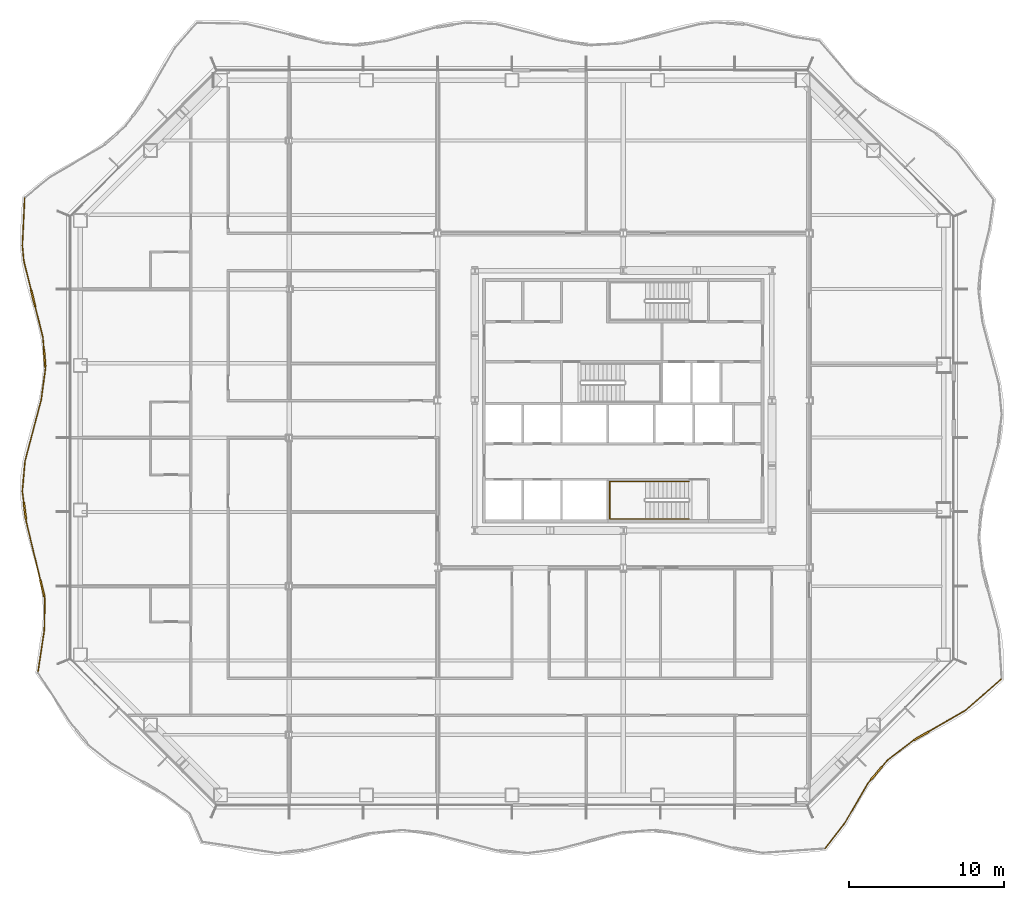
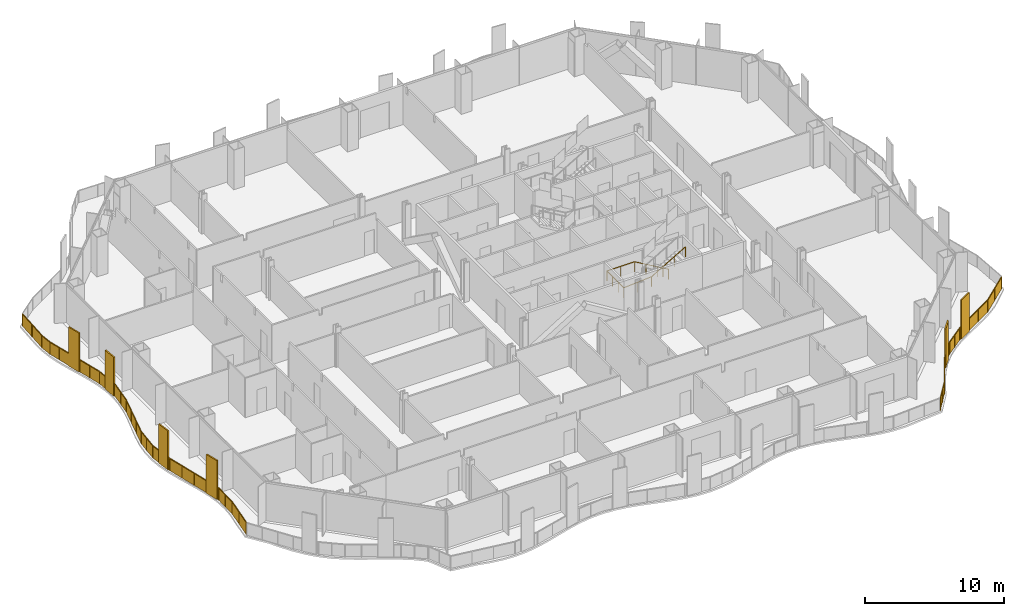
# One storey, part 14 of 18: 3 railings.
"""IFC4 building model written with IfcOpenShell, lengths in metres."""

from ifc_helpers import new_model, si_unit, direction, frame, origin, origin_2d, place, context, subcontext, project, spatial, polyline, rectangle, outline, extrude, material, type_object, element, save


model = new_model("IFC4")

# Units and contexts
model_context = context("Model", 3, precision=1e-05, world=origin(), true_north=direction((0.0, 1.0)))
body_context = subcontext(model_context, "Body", "Model", "MODEL_VIEW")
ifc_project = project(units=[si_unit("LENGTHUNIT", "METRE"), si_unit("AREAUNIT", "SQUARE_METRE"), si_unit("VOLUMEUNIT", "CUBIC_METRE"), si_unit("PLANEANGLEUNIT", "RADIAN"), si_unit("MASSUNIT", "GRAM", prefix="KILO")], contexts=[model_context])

# Site, building, storey
site_placement = place(None, origin())
site = spatial("IfcSite", under=ifc_project, at=site_placement, CompositionType="ELEMENT")
building_placement = place(site_placement, origin())
building = spatial("IfcBuilding", under=site, at=building_placement, Name="Cairn Pilgrim Tower", CompositionType="ELEMENT")
storey_placement = place(building_placement, frame((0.0, 0.0, 72.60009765625)))
storey = spatial("IfcBuildingStorey", under=building, at=storey_placement, Name="L16", CompositionType="ELEMENT", Elevation=72.60009765625)

# Railings
ifc_material_1 = material(Name="Bronze anodised aluminium rail, posts and fin screens with laminated glass infill", Category="aluminium")
railing_type_1 = type_object("IfcRailingType", Name="BALCONY GUARD WITH FIN SCREENS", PredefinedType="GUARDRAIL", material=ifc_material_1)
railing_1_placement = place(storey_placement, frame((20.237548828125, -26.5458984375, 0.0)))
element("IfcRailing", 1, at=railing_1_placement, inside=storey, type_object=railing_type_1, Name="Balcony guard BGF-2 with fin screens", PredefinedType="GUARDRAIL", context=body_context, shape_type="SweptSolid", body=[
    extrude(rectangle(XDim=0.050048828125, YDim=0.050048828125, at=origin_2d()), frame((0.0, 0.0, 1.0751953125), z_axis=(0.615201347758, 0.788370028424, 0.0), x_axis=(-0.788370028424, 0.615201347758, 0.0)), (0.0, 0.0, 1.0), 2.023193359375),
    extrude(rectangle(XDim=0.050048828125, YDim=0.050048828125, at=origin_2d()), frame((1.24462890625, 1.594970703125, 1.0751953125), z_axis=(0.502958538575, 0.864310539375, 0.0), x_axis=(-0.864310539375, 0.502958538575, 0.0)), (0.0, 0.0, 1.0), 3.011962890625),
    extrude(rectangle(XDim=1.10009765625, YDim=0.110107421875, at=origin_2d()), frame((3.309326171875, 4.84814453125, 0.0), z_axis=(0.0, 0.0, 1.0), x_axis=(0.64575939451, 0.763540964456, 0.0)), (0.0, 0.0, 1.0), 3.39990234375),
    extrude(rectangle(XDim=0.050048828125, YDim=0.050048828125, at=origin_2d()), frame((2.759521484375, 4.1982421875, 1.0751953125), z_axis=(0.64575939451, 0.763540964456, 0.0), x_axis=(-0.763540964456, 0.64575939451, 0.0)), (0.0, 0.0, 1.0), 0.30126953125),
    extrude(rectangle(XDim=0.050048828125, YDim=0.050048828125, at=origin_2d()), frame((3.66455078125, 5.268310546875, 1.0751953125), z_axis=(0.64575939451, 0.763540964456, 0.0), x_axis=(-0.763540964456, 0.64575939451, 0.0)), (0.0, 0.0, 1.0), 0.573974609375),
    extrude(rectangle(XDim=0.050048828125, YDim=0.050048828125, at=origin_2d()), frame((4.03515625, 5.70654296875, 1.0751953125), z_axis=(0.791945656533, 0.610591579617, 0.0), x_axis=(-0.610591579617, 0.791945656533, 0.0)), (0.0, 0.0, 1.0), 1.981689453125),
    extrude(rectangle(XDim=1.10009765625, YDim=0.110107421875, at=origin_2d()), frame((6.218505859375, 7.27197265625, 0.0), z_axis=(0.0, 0.0, 1.0), x_axis=(0.86543045398, 0.501029070339, 0.0)), (0.0, 0.0, 1.0), 3.39990234375),
    extrude(rectangle(XDim=0.050048828125, YDim=0.050048828125, at=origin_2d()), frame((5.6044921875, 6.91650390625, 1.0751953125), z_axis=(0.86543045398, 0.501029070339, 0.0), x_axis=(-0.501029070339, 0.86543045398, 0.0)), (0.0, 0.0, 1.0), 0.15966796875),
    extrude(rectangle(XDim=0.050048828125, YDim=0.050048828125, at=origin_2d()), frame((6.694580078125, 7.547607421875, 1.0751953125), z_axis=(0.86543045398, 0.501029070339, 0.0), x_axis=(-0.501029070339, 0.86543045398, 0.0)), (0.0, 0.0, 1.0), 2.750244140625),
    extrude(rectangle(XDim=0.050048828125, YDim=0.050048828125, at=origin_2d()), frame((9.07470703125, 8.925537109375, 1.0751953125), z_axis=(0.75255679741, 0.658527346944, 0.0), x_axis=(-0.658527346944, 0.75255679741, 0.0)), (0.0, 0.0, 1.0), 3.04052734375),
    extrude(rectangle(XDim=0.050048828125, YDim=0.050048828125, at=origin_2d()), origin(), (0.0, 0.0, 1.0), 1.050048828125),
    extrude(rectangle(XDim=0.050048828125, YDim=0.050048828125, at=origin_2d()), frame((0.622314453125, 0.79736328125, 0.0)), (0.0, 0.0, 1.0), 1.050048828125),
    extrude(rectangle(XDim=0.050048828125, YDim=0.050048828125, at=origin_2d()), frame((1.24462890625, 1.594970703125, 0.0)), (0.0, 0.0, 1.0), 1.050048828125),
    extrude(rectangle(XDim=0.050048828125, YDim=0.050048828125, at=origin_2d()), frame((2.001953125, 2.896484375, 0.0)), (0.0, 0.0, 1.0), 1.050048828125),
    extrude(rectangle(XDim=0.050048828125, YDim=0.050048828125, at=origin_2d()), frame((2.759521484375, 4.1982421875, 0.0)), (0.0, 0.0, 1.0), 1.050048828125),
    extrude(rectangle(XDim=0.050048828125, YDim=0.050048828125, at=origin_2d()), frame((2.93798828125, 4.4091796875, 0.0)), (0.0, 0.0, 1.0), 1.050048828125),
    extrude(rectangle(XDim=0.050048828125, YDim=0.050048828125, at=origin_2d()), frame((3.6806640625, 5.287353515625, 0.0)), (0.0, 0.0, 1.0), 1.050048828125),
    extrude(rectangle(XDim=0.050048828125, YDim=0.050048828125, at=origin_2d()), frame((4.03515625, 5.70654296875, 0.0)), (0.0, 0.0, 1.0), 1.050048828125),
    extrude(rectangle(XDim=0.050048828125, YDim=0.050048828125, at=origin_2d()), frame((4.81982421875, 6.3115234375, 0.0)), (0.0, 0.0, 1.0), 1.050048828125),
    extrude(rectangle(XDim=0.050048828125, YDim=0.050048828125, at=origin_2d()), frame((5.6044921875, 6.91650390625, 0.0)), (0.0, 0.0, 1.0), 1.050048828125),
    extrude(rectangle(XDim=0.050048828125, YDim=0.050048828125, at=origin_2d()), frame((5.720947265625, 6.98388671875, 0.0)), (0.0, 0.0, 1.0), 1.050048828125),
    extrude(rectangle(XDim=0.050048828125, YDim=0.050048828125, at=origin_2d()), frame((6.71630859375, 7.56005859375, 0.0)), (0.0, 0.0, 1.0), 1.050048828125),
    extrude(rectangle(XDim=0.050048828125, YDim=0.050048828125, at=origin_2d()), frame((7.8955078125, 8.242919921875, 0.0)), (0.0, 0.0, 1.0), 1.050048828125),
    extrude(rectangle(XDim=0.050048828125, YDim=0.050048828125, at=origin_2d()), frame((9.07470703125, 8.925537109375, 0.0)), (0.0, 0.0, 1.0), 1.050048828125),
    extrude(rectangle(XDim=0.050048828125, YDim=0.050048828125, at=origin_2d()), frame((10.21875, 9.9267578125, 0.0)), (0.0, 0.0, 1.0), 1.050048828125),
    extrude(rectangle(XDim=0.050048828125, YDim=0.050048828125, at=origin_2d()), frame((11.36279296875, 10.927734375, 0.0)), (0.0, 0.0, 1.0), 1.050048828125),
    extrude(outline(polyline([(0.02490234375, 0.0), (0.986572265625, 0.0), (0.986572265625, 1.050048828125), (0.02490234375, 1.050048828125), (0.02490234375, 0.0)])), frame((-0.004638671875, 0.003662109375, 0.0), z_axis=(0.788370028424, -0.615201347758, 0.0), x_axis=(0.615201347758, 0.788370028424, 0.0)), (0.0, 0.0, 1.0), 0.011962890625),
    extrude(outline(polyline([(0.02490234375, 0.0), (0.986572265625, 0.0), (0.986572265625, 1.050048828125), (0.02490234375, 1.050048828125), (0.02490234375, 0.0)])), frame((0.61767578125, 0.80126953125, 0.0), z_axis=(0.788370028424, -0.615201347758, 0.0), x_axis=(0.615201347758, 0.788370028424, 0.0)), (0.0, 0.0, 1.0), 0.011962890625),
    extrude(outline(polyline([(0.02490234375, 0.0), (1.48095703125, 0.0), (1.48095703125, 1.050048828125), (0.02490234375, 1.050048828125), (0.02490234375, 0.0)])), frame((1.239501953125, 1.597900390625, 0.0), z_axis=(0.864310539375, -0.502958538575, 0.0), x_axis=(0.502958538575, 0.864310539375, 0.0)), (0.0, 0.0, 1.0), 0.011962890625),
    extrude(outline(polyline([(0.02490234375, 0.0), (1.48095703125, 0.0), (1.48095703125, 1.050048828125), (0.02490234375, 1.050048828125), (0.02490234375, 0.0)])), frame((1.996826171875, 2.899658203125, 0.0), z_axis=(0.864310539375, -0.502958538575, 0.0), x_axis=(0.502958538575, 0.864310539375, 0.0)), (0.0, 0.0, 1.0), 0.011962890625),
    extrude(outline(polyline([(0.02490234375, 0.0), (0.251220703125, 0.0), (0.251220703125, 1.050048828125), (0.02490234375, 1.050048828125), (0.02490234375, 0.0)])), frame((2.7548828125, 4.2021484375, 0.0), z_axis=(0.763540964456, -0.64575939451, 0.0), x_axis=(0.64575939451, 0.763540964456, 0.0)), (0.0, 0.0, 1.0), 0.011962890625),
    extrude(outline(polyline([(0.02490234375, 0.0), (0.52392578125, 0.0), (0.52392578125, 1.050048828125), (0.02490234375, 1.050048828125), (0.02490234375, 0.0)])), frame((3.676025390625, 5.291259765625, 0.0), z_axis=(0.763540964456, -0.64575939451, 0.0), x_axis=(0.64575939451, 0.763540964456, 0.0)), (0.0, 0.0, 1.0), 0.011962890625),
    extrude(outline(polyline([(0.02490234375, 0.0), (0.9658203125, 0.0), (0.9658203125, 1.050048828125), (0.02490234375, 1.050048828125), (0.02490234375, 0.0)])), frame((4.031494140625, 5.711181640625, 0.0), z_axis=(0.610591579617, -0.791945656533, 0.0), x_axis=(0.791945656533, 0.610591579617, 0.0)), (0.0, 0.0, 1.0), 0.011962890625),
    extrude(outline(polyline([(0.02490234375, 0.0), (0.9658203125, 0.0), (0.9658203125, 1.050048828125), (0.02490234375, 1.050048828125), (0.02490234375, 0.0)])), frame((4.816162109375, 6.316162109375, 0.0), z_axis=(0.610591579617, -0.791945656533, 0.0), x_axis=(0.791945656533, 0.610591579617, 0.0)), (0.0, 0.0, 1.0), 0.011962890625),
    extrude(outline(polyline([(0.02490234375, 0.0), (0.109619140625, 0.0), (0.109619140625, 1.050048828125), (0.02490234375, 1.050048828125), (0.02490234375, 0.0)])), frame((5.6015625, 6.921630859375, 0.0), z_axis=(0.501029070339, -0.86543045398, 0.0), x_axis=(0.86543045398, 0.501029070339, 0.0)), (0.0, 0.0, 1.0), 0.011962890625),
    extrude(outline(polyline([(0.02490234375, 0.0), (1.337646484375, 0.0), (1.337646484375, 1.050048828125), (0.02490234375, 1.050048828125), (0.02490234375, 0.0)])), frame((6.713134765625, 7.5654296875, 0.0), z_axis=(0.501029070339, -0.86543045398, 0.0), x_axis=(0.86543045398, 0.501029070339, 0.0)), (0.0, 0.0, 1.0), 0.011962890625),
    extrude(outline(polyline([(0.02490234375, 0.0), (1.337646484375, 0.0), (1.337646484375, 1.050048828125), (0.02490234375, 1.050048828125), (0.02490234375, 0.0)])), frame((7.892578125, 8.248046875, 0.0), z_axis=(0.501029070339, -0.86543045398, 0.0), x_axis=(0.86543045398, 0.501029070339, 0.0)), (0.0, 0.0, 1.0), 0.011962890625),
    extrude(outline(polyline([(0.02490234375, 0.0), (1.4951171875, 0.0), (1.4951171875, 1.050048828125), (0.02490234375, 1.050048828125), (0.02490234375, 0.0)])), frame((9.07080078125, 8.929931640625, 0.0), z_axis=(0.658527346944, -0.75255679741, 0.0), x_axis=(0.75255679741, 0.658527346944, 0.0)), (0.0, 0.0, 1.0), 0.011962890625),
    extrude(outline(polyline([(0.02490234375, 0.0), (1.4951171875, 0.0), (1.4951171875, 1.050048828125), (0.02490234375, 1.050048828125), (0.02490234375, 0.0)])), frame((10.21484375, 9.93115234375, 0.0), z_axis=(0.658527346944, -0.75255679741, 0.0), x_axis=(0.75255679741, 0.658527346944, 0.0)), (0.0, 0.0, 1.0), 0.011962890625),
])
railing_2_placement = place(storey_placement, frame((-31.49755859375, 15.50439453125, 0.0)))
element("IfcRailing", 2, at=railing_2_placement, inside=storey, type_object=railing_type_1, Name="Balcony guard BGF-7 with fin screens", PredefinedType="GUARDRAIL", context=body_context, shape_type="SweptSolid", body=[
    extrude(rectangle(XDim=0.050048828125, YDim=0.050048828125, at=origin_2d()), frame((0.0, 0.0, 1.0751953125), z_axis=(-0.047392519843, -0.998876343229, 0.0), x_axis=(0.998876343229, -0.047392519843, 0.0)), (0.0, 0.0, 1.0), 3.0908203125),
    extrude(rectangle(XDim=0.050048828125, YDim=0.050048828125, at=origin_2d()), frame((-0.146484375, -3.08740234375, 1.0751953125), z_axis=(0.091619067634, -0.995794128546, 0.0), x_axis=(0.995794128546, 0.091619067634, 0.0)), (0.0, 0.0, 1.0), 0.975341796875),
    extrude(rectangle(XDim=1.10009765625, YDim=0.110107421875, at=origin_2d()), frame((0.551513671875, -6.50146484375, 0.0), z_axis=(0.0, 0.0, 1.0), x_axis=(0.241794790699, -0.970327408245, 0.0)), (0.0, 0.0, 1.0), 3.39990234375),
    extrude(rectangle(XDim=0.050048828125, YDim=0.050048828125, at=origin_2d()), frame((-0.05712890625, -4.05859375, 1.0751953125), z_axis=(0.241794790699, -0.970327408245, 0.0), x_axis=(0.970327408245, 0.241794790699, 0.0)), (0.0, 0.0, 1.0), 1.967529296875),
    extrude(rectangle(XDim=0.050048828125, YDim=0.050048828125, at=origin_2d()), frame((0.6845703125, -7.03515625, 1.0751953125), z_axis=(0.241794790699, -0.970327408245, 0.0), x_axis=(0.970327408245, 0.241794790699, 0.0)), (0.0, 0.0, 1.0), 2.050537109375),
    extrude(rectangle(XDim=1.10009765625, YDim=0.110107421875, at=origin_2d()), frame((1.28759765625, -10.341796875, 0.0), z_axis=(0.0, 0.0, 1.0), x_axis=(0.08116611669, -0.99670058769, 0.0)), (0.0, 0.0, 1.0), 3.39990234375),
    extrude(rectangle(XDim=0.050048828125, YDim=0.050048828125, at=origin_2d()), frame((1.180419921875, -9.02490234375, 1.0751953125), z_axis=(0.08116611669, -0.99670058769, 0.0), x_axis=(0.99670058769, 0.08116611669, 0.0)), (0.0, 0.0, 1.0), 0.771240234375),
    extrude(rectangle(XDim=0.050048828125, YDim=0.050048828125, at=origin_2d()), frame((1.332275390625, -10.889892578125, 1.0751953125), z_axis=(0.08116611669, -0.99670058769, 0.0), x_axis=(0.99670058769, 0.08116611669, 0.0)), (0.0, 0.0, 1.0), 0.150146484375),
    extrude(rectangle(XDim=0.050048828125, YDim=0.050048828125, at=origin_2d()), frame((1.344482421875, -11.03955078125, 1.0751953125), z_axis=(-0.134463757339, -0.990918512271, 0.0), x_axis=(0.990918512271, -0.134463757339, 0.0)), (0.0, 0.0, 1.0), 2.030029296875),
    extrude(rectangle(XDim=0.050048828125, YDim=0.050048828125, at=origin_2d()), frame((1.071533203125, -13.051025390625, 1.0751953125), z_axis=(-0.255652277309, -0.966768800235, 0.0), x_axis=(0.966768800235, -0.255652277309, 0.0)), (0.0, 0.0, 1.0), 4.10546875),
    extrude(rectangle(XDim=0.050048828125, YDim=0.050048828125, at=origin_2d()), frame((0.02197265625, -17.02001953125, 1.0751953125), z_axis=(-0.087117617397, -0.996198032893, 0.0), x_axis=(0.996198032893, -0.087117617397, 0.0)), (0.0, 0.0, 1.0), 1.964599609375),
    extrude(rectangle(XDim=1.10009765625, YDim=0.110107421875, at=origin_2d()), frame((0.015869140625, -20.244873046875, 0.0), z_axis=(0.0, 0.0, 1.0), x_axis=(0.129059615657, -0.991636836552, 0.0)), (0.0, 0.0, 1.0), 3.39990234375),
    extrude(rectangle(XDim=0.050048828125, YDim=0.050048828125, at=origin_2d()), frame((-0.149169921875, -18.97705078125, 1.0751953125), z_axis=(0.129059615657, -0.991636836552, 0.0), x_axis=(0.991636836552, 0.129059615657, 0.0)), (0.0, 0.0, 1.0), 0.728515625),
    extrude(rectangle(XDim=0.050048828125, YDim=0.050048828125, at=origin_2d()), frame((0.0869140625, -20.790283203125, 1.0751953125), z_axis=(0.129059615657, -0.991636836552, 0.0), x_axis=(0.991636836552, 0.129059615657, 0.0)), (0.0, 0.0, 1.0), 0.150146484375),
    extrude(rectangle(XDim=1.10009765625, YDim=0.110107421875, at=origin_2d()), frame((1.142822265625, -25.23486328125, 0.0), z_axis=(0.0, 0.0, 1.0), x_axis=(0.234604789544, -0.972090835634, 0.0)), (0.0, 0.0, 1.0), 3.39990234375),
    extrude(rectangle(XDim=0.050048828125, YDim=0.050048828125, at=origin_2d()), frame((0.106201171875, -20.939208984375, 1.0751953125), z_axis=(0.234604789544, -0.972090835634, 0.0), x_axis=(0.972090835634, 0.234604789544, 0.0)), (0.0, 0.0, 1.0), 3.869140625),
    extrude(rectangle(XDim=0.050048828125, YDim=0.050048828125, at=origin_2d()), frame((1.27197265625, -25.76953125, 1.0751953125), z_axis=(0.234604789544, -0.972090835634, 0.0), x_axis=(0.972090835634, 0.234604789544, 0.0)), (0.0, 0.0, 1.0), 0.14990234375),
    extrude(rectangle(XDim=0.050048828125, YDim=0.050048828125, at=origin_2d()), frame((1.30712890625, -25.915283203125, 1.0751953125), z_axis=(-0.01695698011, -0.999856220076, 0.0), x_axis=(0.999856220076, -0.01695698011, 0.0)), (0.0, 0.0, 1.0), 2.015625),
    extrude(rectangle(XDim=0.050048828125, YDim=0.050048828125, at=origin_2d()), frame((1.27294921875, -27.9306640625, 1.0751953125), z_axis=(-0.149042202955, -0.988830835754, 0.0), x_axis=(0.988830835754, -0.149042202955, 0.0)), (0.0, 0.0, 1.0), 2.73876953125),
    extrude(rectangle(XDim=0.050048828125, YDim=0.050048828125, at=origin_2d()), origin(), (0.0, 0.0, 1.0), 1.050048828125),
    extrude(rectangle(XDim=0.050048828125, YDim=0.050048828125, at=origin_2d()), frame((-0.0732421875, -1.543701171875, 0.0)), (0.0, 0.0, 1.0), 1.050048828125),
    extrude(rectangle(XDim=0.050048828125, YDim=0.050048828125, at=origin_2d()), frame((-0.146484375, -3.08740234375, 0.0)), (0.0, 0.0, 1.0), 1.050048828125),
    extrude(rectangle(XDim=0.050048828125, YDim=0.050048828125, at=origin_2d()), frame((-0.05712890625, -4.05859375, 0.0)), (0.0, 0.0, 1.0), 1.050048828125),
    extrude(rectangle(XDim=0.050048828125, YDim=0.050048828125, at=origin_2d()), frame((0.177734375, -5.0009765625, 0.0)), (0.0, 0.0, 1.0), 1.050048828125),
    extrude(rectangle(XDim=0.050048828125, YDim=0.050048828125, at=origin_2d()), frame((0.41259765625, -5.943603515625, 0.0)), (0.0, 0.0, 1.0), 1.050048828125),
    extrude(rectangle(XDim=0.050048828125, YDim=0.050048828125, at=origin_2d()), frame((0.690673828125, -7.0595703125, 0.0)), (0.0, 0.0, 1.0), 1.050048828125),
    extrude(rectangle(XDim=0.050048828125, YDim=0.050048828125, at=origin_2d()), frame((0.935546875, -8.042236328125, 0.0)), (0.0, 0.0, 1.0), 1.050048828125),
    extrude(rectangle(XDim=0.050048828125, YDim=0.050048828125, at=origin_2d()), frame((1.180419921875, -9.02490234375, 0.0)), (0.0, 0.0, 1.0), 1.050048828125),
    extrude(rectangle(XDim=0.050048828125, YDim=0.050048828125, at=origin_2d()), frame((1.240966796875, -9.7685546875, 0.0)), (0.0, 0.0, 1.0), 1.050048828125),
    extrude(rectangle(XDim=0.050048828125, YDim=0.050048828125, at=origin_2d()), frame((1.334228515625, -10.9150390625, 0.0)), (0.0, 0.0, 1.0), 1.050048828125),
    extrude(rectangle(XDim=0.050048828125, YDim=0.050048828125, at=origin_2d()), frame((1.344482421875, -11.03955078125, 0.0)), (0.0, 0.0, 1.0), 1.050048828125),
    extrude(rectangle(XDim=0.050048828125, YDim=0.050048828125, at=origin_2d()), frame((1.2080078125, -12.04541015625, 0.0)), (0.0, 0.0, 1.0), 1.050048828125),
    extrude(rectangle(XDim=0.050048828125, YDim=0.050048828125, at=origin_2d()), frame((1.071533203125, -13.051025390625, 0.0)), (0.0, 0.0, 1.0), 1.050048828125),
    extrude(rectangle(XDim=0.050048828125, YDim=0.050048828125, at=origin_2d()), frame((0.7216796875, -14.3740234375, 0.0)), (0.0, 0.0, 1.0), 1.050048828125),
    extrude(rectangle(XDim=0.050048828125, YDim=0.050048828125, at=origin_2d()), frame((0.371826171875, -15.697021484375, 0.0)), (0.0, 0.0, 1.0), 1.050048828125),
    extrude(rectangle(XDim=0.050048828125, YDim=0.050048828125, at=origin_2d()), frame((0.02197265625, -17.02001953125, 0.0)), (0.0, 0.0, 1.0), 1.050048828125),
    extrude(rectangle(XDim=0.050048828125, YDim=0.050048828125, at=origin_2d()), frame((-0.0634765625, -17.99853515625, 0.0)), (0.0, 0.0, 1.0), 1.050048828125),
    extrude(rectangle(XDim=0.050048828125, YDim=0.050048828125, at=origin_2d()), frame((-0.149169921875, -18.97705078125, 0.0)), (0.0, 0.0, 1.0), 1.050048828125),
    extrude(rectangle(XDim=0.050048828125, YDim=0.050048828125, at=origin_2d()), frame((-0.058349609375, -19.6748046875, 0.0)), (0.0, 0.0, 1.0), 1.050048828125),
    extrude(rectangle(XDim=0.050048828125, YDim=0.050048828125, at=origin_2d()), frame((0.090087890625, -20.815185546875, 0.0)), (0.0, 0.0, 1.0), 1.050048828125),
    extrude(rectangle(XDim=0.050048828125, YDim=0.050048828125, at=origin_2d()), frame((0.106201171875, -20.939208984375, 0.0)), (0.0, 0.0, 1.0), 1.050048828125),
    extrude(rectangle(XDim=0.050048828125, YDim=0.050048828125, at=origin_2d()), frame((0.40673828125, -22.184814453125, 0.0)), (0.0, 0.0, 1.0), 1.050048828125),
    extrude(rectangle(XDim=0.050048828125, YDim=0.050048828125, at=origin_2d()), frame((0.70751953125, -23.430419921875, 0.0)), (0.0, 0.0, 1.0), 1.050048828125),
    extrude(rectangle(XDim=0.050048828125, YDim=0.050048828125, at=origin_2d()), frame((1.008056640625, -24.676025390625, 0.0)), (0.0, 0.0, 1.0), 1.050048828125),
    extrude(rectangle(XDim=0.050048828125, YDim=0.050048828125, at=origin_2d()), frame((1.27783203125, -25.7939453125, 0.0)), (0.0, 0.0, 1.0), 1.050048828125),
    extrude(rectangle(XDim=0.050048828125, YDim=0.050048828125, at=origin_2d()), frame((1.30712890625, -25.915283203125, 0.0)), (0.0, 0.0, 1.0), 1.050048828125),
    extrude(rectangle(XDim=0.050048828125, YDim=0.050048828125, at=origin_2d()), frame((1.2900390625, -26.9228515625, 0.0)), (0.0, 0.0, 1.0), 1.050048828125),
    extrude(rectangle(XDim=0.050048828125, YDim=0.050048828125, at=origin_2d()), frame((1.27294921875, -27.9306640625, 0.0)), (0.0, 0.0, 1.0), 1.050048828125),
    extrude(rectangle(XDim=0.050048828125, YDim=0.050048828125, at=origin_2d()), frame((1.06884765625, -29.28466796875, 0.0)), (0.0, 0.0, 1.0), 1.050048828125),
    extrude(rectangle(XDim=0.050048828125, YDim=0.050048828125, at=origin_2d()), frame((0.86474609375, -30.638916015625, 0.0)), (0.0, 0.0, 1.0), 1.050048828125),
    extrude(outline(polyline([(0.02490234375, 0.0), (1.5205078125, 0.0), (1.5205078125, 1.050048828125), (0.02490234375, 1.050048828125), (0.02490234375, 0.0)])), frame((0.005859375, -0.000244140625, 0.0), z_axis=(-0.998876343229, 0.047392519843, 0.0), x_axis=(-0.047392519843, -0.998876343229, 0.0)), (0.0, 0.0, 1.0), 0.011962890625),
    extrude(outline(polyline([(0.02490234375, 0.0), (1.5205078125, 0.0), (1.5205078125, 1.050048828125), (0.02490234375, 1.050048828125), (0.02490234375, 0.0)])), frame((-0.0673828125, -1.5439453125, 0.0), z_axis=(-0.998876343229, 0.047392519843, 0.0), x_axis=(-0.047392519843, -0.998876343229, 0.0)), (0.0, 0.0, 1.0), 0.011962890625),
    extrude(outline(polyline([(0.02490234375, 0.0), (0.9501953125, 0.0), (0.9501953125, 1.050048828125), (0.02490234375, 1.050048828125), (0.02490234375, 0.0)])), frame((-0.140625, -3.0869140625, 0.0), z_axis=(-0.995794128546, -0.091619067634, 0.0), x_axis=(0.091619067634, -0.995794128546, 0.0)), (0.0, 0.0, 1.0), 0.011962890625),
    extrude(outline(polyline([(0.02490234375, 0.0), (0.9462890625, 0.0), (0.9462890625, 1.050048828125), (0.02490234375, 1.050048828125), (0.02490234375, 0.0)])), frame((-0.05126953125, -4.05712890625, 0.0), z_axis=(-0.970327408245, -0.241794790699, 0.0), x_axis=(0.241794790699, -0.970327408245, 0.0)), (0.0, 0.0, 1.0), 0.011962890625),
    extrude(outline(polyline([(0.02490234375, 0.0), (0.9462890625, 0.0), (0.9462890625, 1.050048828125), (0.02490234375, 1.050048828125), (0.02490234375, 0.0)])), frame((0.18359375, -4.99951171875, 0.0), z_axis=(-0.970327408245, -0.241794790699, 0.0), x_axis=(0.241794790699, -0.970327408245, 0.0)), (0.0, 0.0, 1.0), 0.011962890625),
    extrude(outline(polyline([(0.02490234375, 0.0), (0.98779296875, 0.0), (0.98779296875, 1.050048828125), (0.02490234375, 1.050048828125), (0.02490234375, 0.0)])), frame((0.696533203125, -7.05810546875, 0.0), z_axis=(-0.970327408245, -0.241794790699, 0.0), x_axis=(0.241794790699, -0.970327408245, 0.0)), (0.0, 0.0, 1.0), 0.011962890625),
    extrude(outline(polyline([(0.02490234375, 0.0), (0.98779296875, 0.0), (0.98779296875, 1.050048828125), (0.02490234375, 1.050048828125), (0.02490234375, 0.0)])), frame((0.94140625, -8.040771484375, 0.0), z_axis=(-0.970327408245, -0.241794790699, 0.0), x_axis=(0.241794790699, -0.970327408245, 0.0)), (0.0, 0.0, 1.0), 0.011962890625),
    extrude(outline(polyline([(0.02490234375, 0.0), (0.72119140625, 0.0), (0.72119140625, 1.050048828125), (0.02490234375, 1.050048828125), (0.02490234375, 0.0)])), frame((1.186279296875, -9.0244140625, 0.0), z_axis=(-0.99670058769, -0.08116611669, 0.0), x_axis=(0.08116611669, -0.99670058769, 0.0)), (0.0, 0.0, 1.0), 0.011962890625),
    extrude(outline(polyline([(0.02490234375, 0.0), (0.10009765625, 0.0), (0.10009765625, 1.050048828125), (0.02490234375, 1.050048828125), (0.02490234375, 0.0)])), frame((1.34033203125, -10.91455078125, 0.0), z_axis=(-0.99670058769, -0.08116611669, 0.0), x_axis=(0.08116611669, -0.99670058769, 0.0)), (0.0, 0.0, 1.0), 0.011962890625),
    extrude(outline(polyline([(0.02490234375, 0.0), (0.989990234375, 0.0), (0.989990234375, 1.050048828125), (0.02490234375, 1.050048828125), (0.02490234375, 0.0)])), frame((1.350341796875, -11.040283203125, 0.0), z_axis=(-0.990918512271, 0.134463757339, 0.0), x_axis=(-0.134463757339, -0.990918512271, 0.0)), (0.0, 0.0, 1.0), 0.011962890625),
    extrude(outline(polyline([(0.02490234375, 0.0), (0.989990234375, 0.0), (0.989990234375, 1.050048828125), (0.02490234375, 1.050048828125), (0.02490234375, 0.0)])), frame((1.2138671875, -12.046142578125, 0.0), z_axis=(-0.990918512271, 0.134463757339, 0.0), x_axis=(-0.134463757339, -0.990918512271, 0.0)), (0.0, 0.0, 1.0), 0.011962890625),
    extrude(outline(polyline([(0.02490234375, 0.0), (1.343505859375, 0.0), (1.343505859375, 1.050048828125), (0.02490234375, 1.050048828125), (0.02490234375, 0.0)])), frame((1.077392578125, -13.052490234375, 0.0), z_axis=(-0.966768800235, 0.255652277309, 0.0), x_axis=(-0.255652277309, -0.966768800235, 0.0)), (0.0, 0.0, 1.0), 0.011962890625),
    extrude(outline(polyline([(0.02490234375, 0.0), (1.343505859375, 0.0), (1.343505859375, 1.050048828125), (0.02490234375, 1.050048828125), (0.02490234375, 0.0)])), frame((0.7275390625, -14.37548828125, 0.0), z_axis=(-0.966768800235, 0.255652277309, 0.0), x_axis=(-0.255652277309, -0.966768800235, 0.0)), (0.0, 0.0, 1.0), 0.011962890625),
    extrude(outline(polyline([(0.02490234375, 0.0), (1.343505859375, 0.0), (1.343505859375, 1.050048828125), (0.02490234375, 1.050048828125), (0.02490234375, 0.0)])), frame((0.377685546875, -15.698486328125, 0.0), z_axis=(-0.966768800235, 0.255652277309, 0.0), x_axis=(-0.255652277309, -0.966768800235, 0.0)), (0.0, 0.0, 1.0), 0.011962890625),
    extrude(outline(polyline([(0.02490234375, 0.0), (0.957275390625, 0.0), (0.957275390625, 1.050048828125), (0.02490234375, 1.050048828125), (0.02490234375, 0.0)])), frame((0.02783203125, -17.0205078125, 0.0), z_axis=(-0.996198032893, 0.087117617397, 0.0), x_axis=(-0.087117617397, -0.996198032893, 0.0)), (0.0, 0.0, 1.0), 0.011962890625),
    extrude(outline(polyline([(0.02490234375, 0.0), (0.957275390625, 0.0), (0.957275390625, 1.050048828125), (0.02490234375, 1.050048828125), (0.02490234375, 0.0)])), frame((-0.0576171875, -17.9990234375, 0.0), z_axis=(-0.996198032893, 0.087117617397, 0.0), x_axis=(-0.087117617397, -0.996198032893, 0.0)), (0.0, 0.0, 1.0), 0.011962890625),
    extrude(outline(polyline([(0.02490234375, 0.0), (0.678466796875, 0.0), (0.678466796875, 1.050048828125), (0.02490234375, 1.050048828125), (0.02490234375, 0.0)])), frame((-0.143310546875, -18.976318359375, 0.0), z_axis=(-0.991636836552, -0.129059615657, 0.0), x_axis=(0.129059615657, -0.991636836552, 0.0)), (0.0, 0.0, 1.0), 0.011962890625),
    extrude(outline(polyline([(0.02490234375, 0.0), (0.10009765625, 0.0), (0.10009765625, 1.050048828125), (0.02490234375, 1.050048828125), (0.02490234375, 0.0)])), frame((0.095947265625, -20.814453125, 0.0), z_axis=(-0.991636836552, -0.129059615657, 0.0), x_axis=(0.129059615657, -0.991636836552, 0.0)), (0.0, 0.0, 1.0), 0.011962890625),
    extrude(outline(polyline([(0.02490234375, 0.0), (1.25634765625, 0.0), (1.25634765625, 1.050048828125), (0.02490234375, 1.050048828125), (0.02490234375, 0.0)])), frame((0.112060546875, -20.937744140625, 0.0), z_axis=(-0.972090835634, -0.234604789544, 0.0), x_axis=(0.234604789544, -0.972090835634, 0.0)), (0.0, 0.0, 1.0), 0.011962890625),
    extrude(outline(polyline([(0.02490234375, 0.0), (1.25634765625, 0.0), (1.25634765625, 1.050048828125), (0.02490234375, 1.050048828125), (0.02490234375, 0.0)])), frame((0.41259765625, -22.183349609375, 0.0), z_axis=(-0.972090835634, -0.234604789544, 0.0), x_axis=(0.234604789544, -0.972090835634, 0.0)), (0.0, 0.0, 1.0), 0.011962890625),
    extrude(outline(polyline([(0.02490234375, 0.0), (1.25634765625, 0.0), (1.25634765625, 1.050048828125), (0.02490234375, 1.050048828125), (0.02490234375, 0.0)])), frame((0.713134765625, -23.428955078125, 0.0), z_axis=(-0.972090835634, -0.234604789544, 0.0), x_axis=(0.234604789544, -0.972090835634, 0.0)), (0.0, 0.0, 1.0), 0.011962890625),
    extrude(outline(polyline([(0.02490234375, 0.0), (0.099853515625, 0.0), (0.099853515625, 1.050048828125), (0.02490234375, 1.050048828125), (0.02490234375, 0.0)])), frame((1.28369140625, -25.79248046875, 0.0), z_axis=(-0.972090835634, -0.234604789544, 0.0), x_axis=(0.234604789544, -0.972090835634, 0.0)), (0.0, 0.0, 1.0), 0.011962890625),
    extrude(outline(polyline([(0.02490234375, 0.0), (0.98291015625, 0.0), (0.98291015625, 1.050048828125), (0.02490234375, 1.050048828125), (0.02490234375, 0.0)])), frame((1.31298828125, -25.915283203125, 0.0), z_axis=(-0.999856220076, 0.01695698011, 0.0), x_axis=(-0.01695698011, -0.999856220076, 0.0)), (0.0, 0.0, 1.0), 0.011962890625),
    extrude(outline(polyline([(0.02490234375, 0.0), (0.98291015625, 0.0), (0.98291015625, 1.050048828125), (0.02490234375, 1.050048828125), (0.02490234375, 0.0)])), frame((1.2958984375, -26.923095703125, 0.0), z_axis=(-0.999856220076, 0.01695698011, 0.0), x_axis=(-0.01695698011, -0.999856220076, 0.0)), (0.0, 0.0, 1.0), 0.011962890625),
    extrude(outline(polyline([(0.02490234375, 0.0), (1.344482421875, 0.0), (1.344482421875, 1.050048828125), (0.02490234375, 1.050048828125), (0.02490234375, 0.0)])), frame((1.27880859375, -27.931640625, 0.0), z_axis=(-0.988830835754, 0.149042202955, 0.0), x_axis=(-0.149042202955, -0.988830835754, 0.0)), (0.0, 0.0, 1.0), 0.011962890625),
    extrude(outline(polyline([(0.02490234375, 0.0), (1.344482421875, 0.0), (1.344482421875, 1.050048828125), (0.02490234375, 1.050048828125), (0.02490234375, 0.0)])), frame((1.07470703125, -29.28564453125, 0.0), z_axis=(-0.988830835754, 0.149042202955, 0.0), x_axis=(-0.149042202955, -0.988830835754, 0.0)), (0.0, 0.0, 1.0), 0.011962890625),
])
ifc_material_2 = material(Name="Painted steel", Category="steel")
railing_type_2 = type_object("IfcRailingType", Name="STAIR HANDRAIL 900", PredefinedType="HANDRAIL", material=ifc_material_2)
railing_3_placement = place(storey_placement, frame((11.425048828125, -2.824951171875, 0.16357421875)))
element("IfcRailing", 3, at=railing_3_placement, inside=storey, type_object=railing_type_2, Name="L16 ST-A stair handrail 1", PredefinedType="HANDRAIL", context=body_context, shape_type="SweptSolid", body=[
    extrude(rectangle(XDim=0.048095703125, YDim=0.048095703125, at=origin_2d()), frame((0.0, 0.0, 0.8759765625), z_axis=(-0.863393664356, 0.0, 0.504530851732), x_axis=(0.0, -1.0, 0.0)), (0.0, 0.0, 1.0), 3.2431640625),
    extrude(rectangle(XDim=0.048095703125, YDim=0.048095703125, at=origin_2d()), frame((-2.800048828125, 0.0, 2.51220703125), z_axis=(-1.0, 0.0, 0.0), x_axis=(0.0, -1.0, 0.0)), (0.0, 0.0, 1.0), 2.300048828125),
    extrude(rectangle(XDim=0.048095703125, YDim=0.048095703125, at=origin_2d()), frame((-5.10009765625, 0.0, 2.51220703125), z_axis=(0.0, -1.0, 0.0), x_axis=(1.0, 0.0, 0.0)), (0.0, 0.0, 1.0), 2.425048828125),
    extrude(rectangle(XDim=0.048095703125, YDim=0.048095703125, at=origin_2d()), frame((-5.10009765625, -2.425048828125, 2.51220703125), z_axis=(0.99747319029, 0.0, 0.071043892441), x_axis=(0.0, 1.0, 0.0)), (0.0, 0.0, 1.0), 2.305908203125),
    extrude(rectangle(XDim=0.048095703125, YDim=0.048095703125, at=origin_2d()), frame((-2.800048828125, -2.425048828125, 2.67578125), z_axis=(0.863393664356, 0.0, 0.504530851732), x_axis=(0.0, 1.0, 0.0)), (0.0, 0.0, 1.0), 3.2431640625),
    extrude(rectangle(XDim=0.0419921875, YDim=0.0419921875, at=origin_2d()), origin(), (0.0, 0.0, 1.0), 0.851806640625),
    extrude(rectangle(XDim=0.0419921875, YDim=0.0419921875, at=origin_2d()), frame((-0.933349609375, 0.0, 0.54541015625)), (0.0, 0.0, 1.0), 0.851806640625),
    extrude(rectangle(XDim=0.0419921875, YDim=0.0419921875, at=origin_2d()), frame((-1.86669921875, 0.0, 1.0908203125)), (0.0, 0.0, 1.0), 0.851806640625),
    extrude(rectangle(XDim=0.0419921875, YDim=0.0419921875, at=origin_2d()), frame((-2.800048828125, 0.0, 1.63623046875)), (0.0, 0.0, 1.0), 0.851806640625),
    extrude(rectangle(XDim=0.0419921875, YDim=0.0419921875, at=origin_2d()), frame((-3.9501953125, 0.0, 1.63623046875)), (0.0, 0.0, 1.0), 0.851806640625),
    extrude(rectangle(XDim=0.0419921875, YDim=0.0419921875, at=origin_2d()), frame((-5.10009765625, 0.0, 1.63623046875)), (0.0, 0.0, 1.0), 0.851806640625),
    extrude(rectangle(XDim=0.0419921875, YDim=0.0419921875, at=origin_2d()), frame((-5.10009765625, -0.808349609375, 1.63623046875)), (0.0, 0.0, 1.0), 0.851806640625),
    extrude(rectangle(XDim=0.0419921875, YDim=0.0419921875, at=origin_2d()), frame((-5.10009765625, -1.61669921875, 1.63623046875)), (0.0, 0.0, 1.0), 0.851806640625),
    extrude(rectangle(XDim=0.0419921875, YDim=0.0419921875, at=origin_2d()), frame((-5.10009765625, -2.425048828125, 1.63623046875)), (0.0, 0.0, 1.0), 0.851806640625),
    extrude(rectangle(XDim=0.0419921875, YDim=0.0419921875, at=origin_2d()), frame((-3.9501953125, -2.425048828125, 1.71826171875)), (0.0, 0.0, 1.0), 0.851806640625),
    extrude(rectangle(XDim=0.0419921875, YDim=0.0419921875, at=origin_2d()), frame((-2.800048828125, -2.425048828125, 1.800048828125)), (0.0, 0.0, 1.0), 0.851806640625),
    extrude(rectangle(XDim=0.0419921875, YDim=0.0419921875, at=origin_2d()), frame((-1.86669921875, -2.425048828125, 2.345458984375)), (0.0, 0.0, 1.0), 0.851806640625),
    extrude(rectangle(XDim=0.0419921875, YDim=0.0419921875, at=origin_2d()), frame((-0.933349609375, -2.425048828125, 2.890869140625)), (0.0, 0.0, 1.0), 0.851806640625),
    extrude(rectangle(XDim=0.0419921875, YDim=0.0419921875, at=origin_2d()), frame((0.0, -2.425048828125, 3.436279296875)), (0.0, 0.0, 1.0), 0.851806640625),
])

save(model, "model.ifc")
